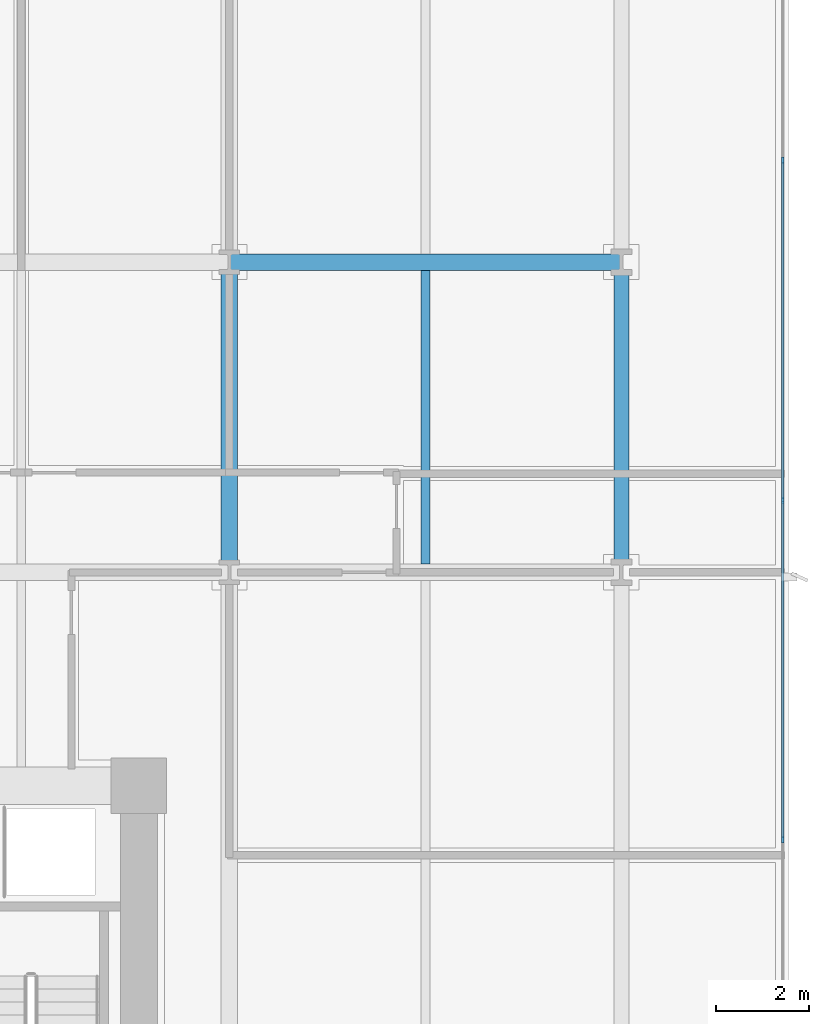
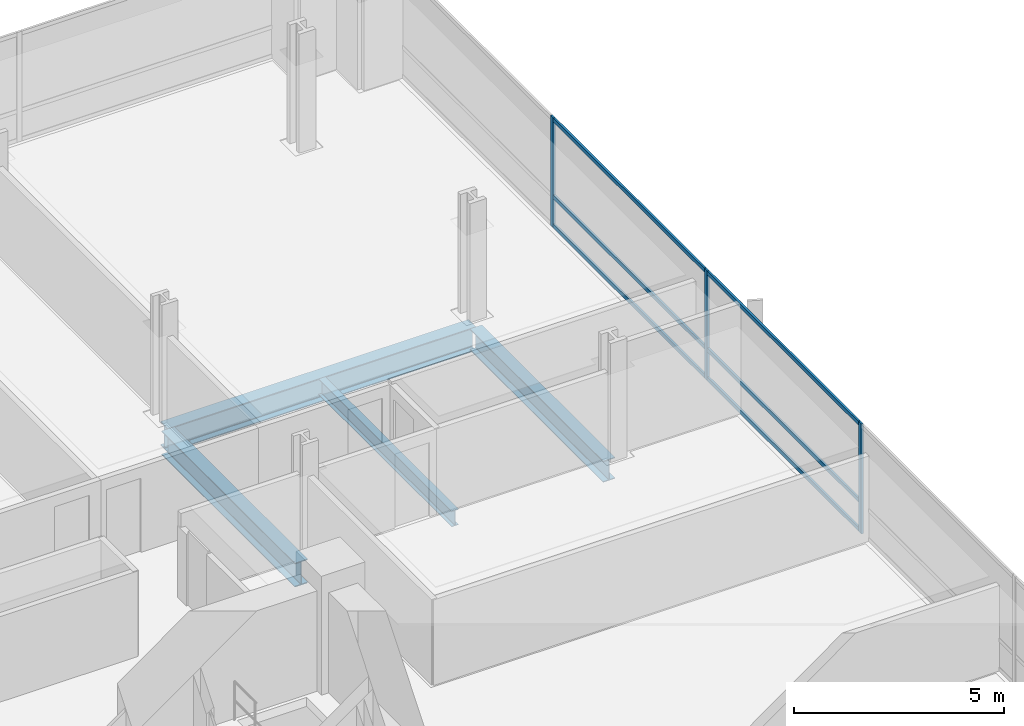
# One storey, part 8 of 21: 9 members, 4 beams, 1 element without a shape of its own.
"""IFC4 building model written with IfcOpenShell, lengths in metres."""

from ifc_helpers import new_model, si_unit, direction, frame, origin, origin_2d, place, context, subcontext, project, spatial, rectangle, i_section, extrude, material, material_profile, profile_set, type_object, element, aggregate, save


model = new_model("IFC4")

# Units and contexts
model_context = context("Model", 3, precision=1e-05, world=origin(), true_north=direction((0.0, 1.0)))
body_context = subcontext(model_context, "Body", "Model", "MODEL_VIEW")
ifc_project = project(units=[si_unit("LENGTHUNIT", "METRE"), si_unit("AREAUNIT", "SQUARE_METRE"), si_unit("VOLUMEUNIT", "CUBIC_METRE"), si_unit("PLANEANGLEUNIT", "RADIAN"), si_unit("MASSUNIT", "GRAM", prefix="KILO")], contexts=[model_context])

# Site, building, storey
site_placement = place(None, origin())
site = spatial("IfcSite", under=ifc_project, at=site_placement, CompositionType="ELEMENT")
building_placement = place(site_placement, origin())
building = spatial("IfcBuilding", under=site, at=building_placement, Name="Solmavex Isthmus Hotel", CompositionType="ELEMENT")
storey_placement = place(building_placement, frame((0.0, 0.0, 54.0)))
storey = spatial("IfcBuildingStorey", under=building, at=storey_placement, Name="L14", CompositionType="ELEMENT", Elevation=54.0)

# Beams
ifc_material_1 = material(Name="Steel ASTM A992 Grade 50", Category="steel")
ifc_material_profile_1 = material_profile(ifc_material_1, i_section(OverallWidth=0.354736328125, OverallDepth=0.695556640625, WebThickness=0.015380859375, FlangeThickness=0.02490234375, FilletRadius=0.017822265625, at=origin_2d()), Name="W27X146")
ifc_profile_set_1 = profile_set([ifc_material_profile_1], Name="Steel ASTM A992 Grade 50")
beam_type_1 = type_object("IfcBeamType", Name="BM-BG-W27X146", PredefinedType="BEAM", material=ifc_profile_set_1)
beam_1_placement = place(storey_placement, frame((17.951904296875, 8.7880859375, -0.607666015625), z_axis=(1.0, 0.0, 0.0), x_axis=(0.0, 1.0, 0.0)))
element("IfcBeam", 1, at=beam_1_placement, inside=storey, type_object=beam_type_1, Name="Floor Girder L14-UG18", PredefinedType="BEAM", context=body_context, shape_type="SweptSolid", body=[
    extrude(i_section(OverallWidth=0.354736328125, OverallDepth=0.695556640625, WebThickness=0.015380859375, FlangeThickness=0.02490234375, FilletRadius=0.017822265625, at=origin_2d()), origin(), (0.0, 0.0, 1.0), 8.447998046875),
])
beam_2_placement = place(storey_placement, frame((17.951904296875, 2.27734375, -0.607666015625), z_axis=(0.0, 1.0, 0.0), x_axis=(-1.0, 0.0, 0.0)))
element("IfcBeam", 2, at=beam_2_placement, inside=storey, type_object=beam_type_1, Name="Floor Beam L14-VG44", PredefinedType="BEAM", context=body_context, shape_type="SweptSolid", body=[
    extrude(i_section(OverallWidth=0.354736328125, OverallDepth=0.695556640625, WebThickness=0.015380859375, FlangeThickness=0.02490234375, FilletRadius=0.017822265625, at=origin_2d()), origin(), (0.0, 0.0, 1.0), 6.333251953125),
])
ifc_material_profile_2 = material_profile(ifc_material_1, i_section(OverallWidth=0.1904296875, OverallDepth=0.456787109375, WebThickness=0.009033203125, FlangeThickness=0.014404296875, FilletRadius=0.0126953125, at=origin_2d()), Name="W18X50")
ifc_profile_set_2 = profile_set([ifc_material_profile_2], Name="Steel ASTM A992 Grade 50")
beam_type_2 = type_object("IfcBeamType", Name="BM-BJ-W18X50", PredefinedType="JOIST", material=ifc_profile_set_2)
beam_3_placement = place(storey_placement, frame((22.176025390625, 2.27734375, -0.488525390625), z_axis=(0.0, 1.0, 0.0), x_axis=(-1.0, 0.0, 0.0)))
element("IfcBeam", 3, at=beam_3_placement, inside=storey, type_object=beam_type_2, Name="Secondary Floor Joist L14-J21", PredefinedType="JOIST", context=body_context, shape_type="SweptSolid", body=[
    extrude(i_section(OverallWidth=0.1904296875, OverallDepth=0.456787109375, WebThickness=0.009033203125, FlangeThickness=0.014404296875, FilletRadius=0.0126953125, at=origin_2d()), origin(), (0.0, 0.0, 1.0), 6.333251953125),
])
ifc_material_profile_3 = material_profile(ifc_material_1, i_section(OverallWidth=0.326416015625, OverallDepth=0.621826171875, WebThickness=0.015380859375, FlangeThickness=0.0244140625, FilletRadius=0.01513671875, at=origin_2d()), Name="W24X131")
ifc_profile_set_3 = profile_set([ifc_material_profile_3], Name="Steel ASTM A992 Grade 50")
beam_type_3 = type_object("IfcBeamType", Name="BM-SP-W24X131", PredefinedType="SPANDREL", material=ifc_profile_set_3)
beam_4_placement = place(storey_placement, frame((26.39990234375, 2.27734375, -0.57080078125), z_axis=(0.0, 1.0, 0.0), x_axis=(-1.0, 0.0, 0.0)))
element("IfcBeam", 4, at=beam_4_placement, inside=storey, type_object=beam_type_3, Name="Floor Beam L14-VG47", PredefinedType="SPANDREL", context=body_context, shape_type="SweptSolid", body=[
    extrude(i_section(OverallWidth=0.326416015625, OverallDepth=0.621826171875, WebThickness=0.015380859375, FlangeThickness=0.0244140625, FilletRadius=0.01513671875, at=origin_2d()), origin(), (0.0, 0.0, 1.0), 6.333251953125),
])

# Curtain wall, members
ifc_material_2 = material(Name="Aluminium alloy 6063-T6", Category="aluminium")
curtain_wall_type = type_object("IfcCurtainWallType", Name="CW-SYS-06", PredefinedType="NOTDEFINED", material=ifc_material_2)
curtain_wall_placement = place(storey_placement, origin())
curtain_wall = element("IfcCurtainWall", 5, at=curtain_wall_placement, inside=storey, type_object=curtain_wall_type, Name="Stick Curtain Wall CWL-L14-E1", PredefinedType="NOTDEFINED")
ifc_material_profile_4 = material_profile(ifc_material_2, rectangle(XDim=0.06005859375, YDim=0.139892578125, at=origin_2d()), Name="CWM-60X140")
ifc_profile_set_4 = profile_set([ifc_material_profile_4], Name="Aluminium alloy 6063-T6")
member_type_1 = type_object("IfcMemberType", Name="CW-SYS-06-MUL", PredefinedType="MULLION", material=ifc_profile_set_4)
member_1_placement = place(storey_placement, frame((29.8798828125, -3.659912109375, 0.0), z_axis=(0.0, 0.0, 1.0), x_axis=(-1.0, 0.0, 0.0)))
member_1 = element("IfcMember", 6, at=member_1_placement, type_object=member_type_1, Name="CW-06 mullion 3", PredefinedType="MULLION", context=body_context, shape_type="SweptSolid", body=[
    extrude(rectangle(XDim=0.06005859375, YDim=0.139892578125, at=origin_2d()), origin(), (0.0, 0.0, 1.0), 3.18994140625),
])
member_2_placement = place(storey_placement, frame((29.8798828125, 3.659912109375, 0.0), z_axis=(0.0, 0.0, 1.0), x_axis=(-1.0, 0.0, 0.0)))
member_2 = element("IfcMember", 7, at=member_2_placement, type_object=member_type_1, Name="CW-06 mullion 4", PredefinedType="MULLION", context=body_context, shape_type="SweptSolid", body=[
    extrude(rectangle(XDim=0.06005859375, YDim=0.139892578125, at=origin_2d()), origin(), (0.0, 0.0, 1.0), 3.18994140625),
])
member_3_placement = place(storey_placement, frame((29.8798828125, 10.97998046875, 0.0), z_axis=(0.0, 0.0, 1.0), x_axis=(-1.0, 0.0, 0.0)))
member_3 = element("IfcMember", 8, at=member_3_placement, type_object=member_type_1, Name="CW-06 mullion 5", PredefinedType="MULLION", context=body_context, shape_type="SweptSolid", body=[
    extrude(rectangle(XDim=0.06005859375, YDim=0.139892578125, at=origin_2d()), origin(), (0.0, 0.0, 1.0), 3.18994140625),
])
ifc_material_profile_5 = material_profile(ifc_material_2, rectangle(XDim=0.06005859375, YDim=0.114990234375, at=origin_2d()), Name="CWT-60X115")
ifc_profile_set_5 = profile_set([ifc_material_profile_5], Name="Aluminium alloy 6063-T6")
member_type_2 = type_object("IfcMemberType", Name="CW-SYS-06-TRN", PredefinedType="USERDEFINED", material=ifc_profile_set_5)
member_4_placement = place(storey_placement, frame((29.8798828125, -3.6298828125, 0.0576171875), z_axis=(0.0, 1.0, 0.0), x_axis=(-1.0, 0.0, 0.0)))
member_4 = element("IfcMember", 9, at=member_4_placement, type_object=member_type_2, Name="CW-06 transom 3.1", ObjectType="TRANSOM", PredefinedType="USERDEFINED", context=body_context, shape_type="SweptSolid", body=[
    extrude(rectangle(XDim=0.06005859375, YDim=0.114990234375, at=origin_2d()), origin(), (0.0, 0.0, 1.0), 7.259765625),
])
member_5_placement = place(storey_placement, frame((29.8798828125, -3.6298828125, 0.89990234375), z_axis=(0.0, 1.0, 0.0), x_axis=(-1.0, 0.0, 0.0)))
member_5 = element("IfcMember", 10, at=member_5_placement, type_object=member_type_2, Name="CW-06 transom 3.2", ObjectType="TRANSOM", PredefinedType="USERDEFINED", context=body_context, shape_type="SweptSolid", body=[
    extrude(rectangle(XDim=0.06005859375, YDim=0.114990234375, at=origin_2d()), origin(), (0.0, 0.0, 1.0), 7.259765625),
])
member_6_placement = place(storey_placement, frame((29.8798828125, -3.6298828125, 3.132568359375), z_axis=(0.0, 1.0, 0.0), x_axis=(-1.0, 0.0, 0.0)))
member_6 = element("IfcMember", 11, at=member_6_placement, type_object=member_type_2, Name="CW-06 transom 3.3", ObjectType="TRANSOM", PredefinedType="USERDEFINED", context=body_context, shape_type="SweptSolid", body=[
    extrude(rectangle(XDim=0.06005859375, YDim=0.114990234375, at=origin_2d()), origin(), (0.0, 0.0, 1.0), 7.259765625),
])
member_7_placement = place(storey_placement, frame((29.8798828125, 3.68994140625, 0.0576171875), z_axis=(0.0, 1.0, 0.0), x_axis=(-1.0, 0.0, 0.0)))
member_7 = element("IfcMember", 12, at=member_7_placement, type_object=member_type_2, Name="CW-06 transom 4.1", ObjectType="TRANSOM", PredefinedType="USERDEFINED", context=body_context, shape_type="SweptSolid", body=[
    extrude(rectangle(XDim=0.06005859375, YDim=0.114990234375, at=origin_2d()), origin(), (0.0, 0.0, 1.0), 7.260009765625),
])
member_8_placement = place(storey_placement, frame((29.8798828125, 3.68994140625, 0.89990234375), z_axis=(0.0, 1.0, 0.0), x_axis=(-1.0, 0.0, 0.0)))
member_8 = element("IfcMember", 13, at=member_8_placement, type_object=member_type_2, Name="CW-06 transom 4.2", ObjectType="TRANSOM", PredefinedType="USERDEFINED", context=body_context, shape_type="SweptSolid", body=[
    extrude(rectangle(XDim=0.06005859375, YDim=0.114990234375, at=origin_2d()), origin(), (0.0, 0.0, 1.0), 7.260009765625),
])
member_9_placement = place(storey_placement, frame((29.8798828125, 3.68994140625, 3.132568359375), z_axis=(0.0, 1.0, 0.0), x_axis=(-1.0, 0.0, 0.0)))
member_9 = element("IfcMember", 14, at=member_9_placement, type_object=member_type_2, Name="CW-06 transom 4.3", ObjectType="TRANSOM", PredefinedType="USERDEFINED", context=body_context, shape_type="SweptSolid", body=[
    extrude(rectangle(XDim=0.06005859375, YDim=0.114990234375, at=origin_2d()), origin(), (0.0, 0.0, 1.0), 7.260009765625),
])
aggregate(curtain_wall, [member_1, member_2, member_3, member_4, member_5, member_6, member_7, member_8, member_9])

save(model, "model.ifc")
